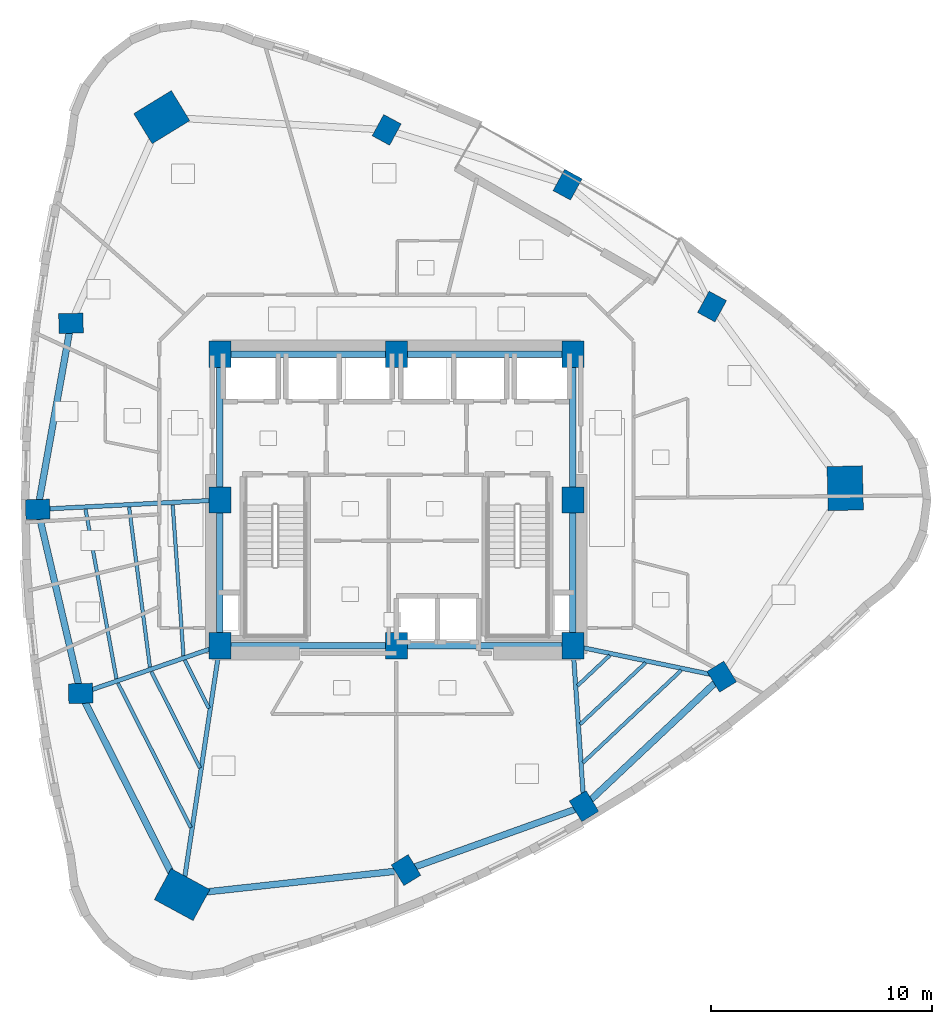
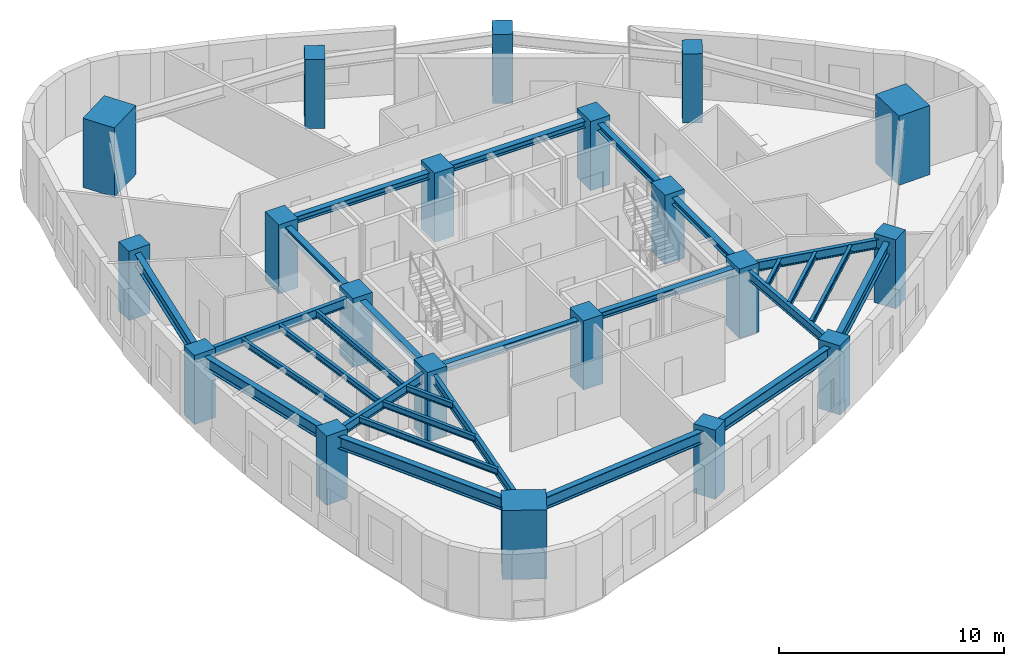
# One storey, part 1 of 13: 28 beams, 20 columns.
"""IFC4 building model written with IfcOpenShell, lengths in metres."""

from ifc_helpers import new_model, si_unit, direction, frame, origin, origin_2d, place, context, subcontext, project, spatial, rectangle, i_section, extrude, material, material_profile, profile_set, type_object, element, save


model = new_model("IFC4")

# Units and contexts
model_context = context("Model", 3, precision=1e-05, world=origin(), true_north=direction((0.0, 1.0)))
body_context = subcontext(model_context, "Body", "Model", "MODEL_VIEW")
ifc_project = project(units=[si_unit("LENGTHUNIT", "METRE"), si_unit("AREAUNIT", "SQUARE_METRE"), si_unit("VOLUMEUNIT", "CUBIC_METRE"), si_unit("PLANEANGLEUNIT", "RADIAN"), si_unit("MASSUNIT", "GRAM", prefix="KILO")], contexts=[model_context])

# Site, building, storey
site_placement = place(None, origin())
site = spatial("IfcSite", under=ifc_project, at=site_placement, CompositionType="ELEMENT")
building_placement = place(site_placement, origin())
building = spatial("IfcBuilding", under=site, at=building_placement, Name="Ndelora Gate Hotel", CompositionType="ELEMENT")
storey_placement = place(building_placement, frame((0.0, 0.0, 123.5)))
storey = spatial("IfcBuildingStorey", under=building, at=storey_placement, Name="L30", CompositionType="ELEMENT", Elevation=123.5)

# Columns
ifc_material_1 = material(Name="Concrete C60/75", Category="concrete")
ifc_material_profile_1 = material_profile(ifc_material_1, rectangle(XDim=1.0, YDim=1.199951171875, at=origin_2d()), Name="RC 1200x1000")
ifc_profile_set_1 = profile_set([ifc_material_profile_1], Name="Concrete C60/75")
column_type_1 = type_object("IfcColumnType", Name="COL-CC-MID", PredefinedType="COLUMN", material=ifc_profile_set_1)
for number, where, z_axis, x_axis, name in (
    (1, (-8.0, -6.60009765625, 0.0), (0.0, 0.0, 1.0), (1.0, 0.0, 0.0), "L30 Core Column CC1"),
    (2, (0.0, -6.60009765625, 0.0), (0.0, 0.0, 1.0), (1.0, 0.0, 0.0), "L30 Core Column CC2"),
    (3, (8.0, -6.60009765625, 0.0), (0.0, 0.0, 1.0), (1.0, 0.0, 0.0), "L30 Core Column CC3"),
    (4, (8.0, 0.0, 0.0), (0.0, 0.0, 1.0), (1.0, 0.0, 0.0), "L30 Core Column CC4"),
    (5, (8.0, 6.60009765625, 0.0), (0.0, 0.0, 1.0), (1.0, 0.0, 0.0), "L30 Core Column CC5"),
    (6, (0.0, 6.60009765625, 0.0), (0.0, 0.0, 1.0), (1.0, 0.0, 0.0), "L30 Core Column CC6"),
    (7, (-8.0, 6.60009765625, 0.0), (0.0, 0.0, 1.0), (1.0, 0.0, 0.0), "L30 Core Column CC7"),
    (8, (-8.0, 0.0, 0.0), (0.0, 0.0, 1.0), (1.0, 0.0, 0.0), "L30 Core Column CC8"),
):
    element("IfcColumn", number, at=place(storey_placement, frame(where, z_axis=z_axis, x_axis=x_axis)), inside=storey, type_object=column_type_1, Name=name, PredefinedType="COLUMN", context=body_context, shape_type="SweptSolid", body=[
        extrude(rectangle(XDim=1.0, YDim=1.199951171875, at=origin_2d()), origin(), (0.0, 0.0, 1.0), 3.75),
    ])
ifc_material_profile_2 = material_profile(ifc_material_1, rectangle(XDim=1.60009765625, YDim=2.0, at=origin_2d()), Name="RC 2000x1600")
ifc_profile_set_2 = profile_set([ifc_material_profile_2], Name="Concrete C60/75")
column_type_2 = type_object("IfcColumnType", Name="COL-MC-Z2", PredefinedType="COLUMN", material=ifc_profile_set_2)
for number, where, z_axis, x_axis, name in (
    (9, (-10.63330078125, 17.351806640625, 0.0), (0.0, 0.0, 1.0), (-0.522498564716, 0.852640164354, 0.0), "L30 Corner Mega-Column R1"),
    (10, (-9.71044921875, -17.884521484375, 0.0), (0.0, 0.0, 1.0), (0.47715876026, 0.878817112662, 0.0), "L30 Corner Mega-Column R5"),
    (11, (20.34375, 0.53271484375, 0.0), (0.0, 0.0, 1.0), (0.999657324976, 0.026176948308, 0.0), "L30 Corner Mega-Column R9"),
):
    element("IfcColumn", number, at=place(storey_placement, frame(where, z_axis=z_axis, x_axis=x_axis)), inside=storey, type_object=column_type_2, Name=name, PredefinedType="COLUMN", context=body_context, shape_type="SweptSolid", body=[
        extrude(rectangle(XDim=1.60009765625, YDim=2.0, at=origin_2d()), origin(), (0.0, 0.0, 1.0), 3.75),
    ])
ifc_material_profile_3 = material_profile(ifc_material_1, rectangle(XDim=0.89990234375, YDim=1.10009765625, at=origin_2d()), Name="RC 1100x900")
ifc_profile_set_3 = profile_set([ifc_material_profile_3], Name="Concrete C60/75")
column_type_3 = type_object("IfcColumnType", Name="COL-PT-Z2", PredefinedType="COLUMN", material=ifc_profile_set_3)
for number, where, z_axis, x_axis, name in (
    (12, (-14.74658203125, 8.006591796875, 0.0), (0.0, 0.0, 1.0), (-0.026176948308, 0.999657324976, 0.0), "L30 Perimeter Tube Column R2"),
    (13, (-16.25537109375, -0.42578125, 0.0), (0.0, 0.0, 1.0), (-0.026176948308, 0.999657324976, 0.0), "L30 Perimeter Tube Column R3"),
    (14, (-14.307373046875, -8.767578125, 0.0), (0.0, 0.0, 1.0), (-0.026176948308, 0.999657324976, 0.0), "L30 Perimeter Tube Column R4"),
    (15, (0.439208984375, -16.7744140625, 0.0), (0.0, 0.0, 1.0), (0.852640164354, 0.522498564716, 0.0), "L30 Perimeter Tube Column R6"),
    (16, (8.50439453125, -13.878173828125, 0.0), (0.0, 0.0, 1.0), (0.852640164354, 0.522498564716, 0.0), "L30 Perimeter Tube Column R7"),
    (17, (14.74658203125, -8.006591796875, 0.0), (0.0, 0.0, 1.0), (0.852640164354, 0.522498564716, 0.0), "L30 Perimeter Tube Column R8"),
    (18, (14.30712890625, 8.767333984375, 0.0), (0.0, 0.0, 1.0), (-0.878817112662, 0.47715876026, 0.0), "L30 Perimeter Tube Column R10"),
    (19, (7.759033203125, 14.290283203125, 0.0), (0.0, 0.0, 1.0), (-0.878817112662, 0.47715876026, 0.0), "L30 Perimeter Tube Column R11"),
    (20, (-0.439208984375, 16.7744140625, 0.0), (0.0, 0.0, 1.0), (-0.878817112662, 0.47715876026, 0.0), "L30 Perimeter Tube Column R12"),
):
    element("IfcColumn", number, at=place(storey_placement, frame(where, z_axis=z_axis, x_axis=x_axis)), inside=storey, type_object=column_type_3, Name=name, PredefinedType="COLUMN", context=body_context, shape_type="SweptSolid", body=[
        extrude(rectangle(XDim=0.89990234375, YDim=1.10009765625, at=origin_2d()), origin(), (0.0, 0.0, 1.0), 3.75),
    ])

# Beams
ifc_material_2 = material(Name="Steel S355", Category="steel")
ifc_material_profile_4 = material_profile(ifc_material_2, i_section(OverallWidth=0.300048828125, OverallDepth=0.360107421875, WebThickness=0.012451171875, FlangeThickness=0.0224609375, FilletRadius=0.027099609375, at=origin_2d()), Name="HEB 360")
ifc_profile_set_4 = profile_set([ifc_material_profile_4], Name="Steel S355")
beam_type_1 = type_object("IfcBeamType", Name="BM-CORE-360", PredefinedType="BEAM", material=ifc_profile_set_4)
for number, where, z_axis, x_axis, name in (
    (21, (-8.0, 6.60009765625, 3.320068359375), (1.0, 0.0, 0.0), (0.0, 1.0, 0.0), "L30 Core Tie Girder CC7-CC6"),
    (22, (0.0, 6.60009765625, 3.320068359375), (1.0, 0.0, 0.0), (0.0, 1.0, 0.0), "L30 Core Tie Girder CC6-CC5"),
):
    element("IfcBeam", number, at=place(storey_placement, frame(where, z_axis=z_axis, x_axis=x_axis)), inside=storey, type_object=beam_type_1, Name=name, PredefinedType="BEAM", context=body_context, shape_type="SweptSolid", body=[
        extrude(i_section(OverallWidth=0.300048828125, OverallDepth=0.360107421875, WebThickness=0.012451171875, FlangeThickness=0.0224609375, FilletRadius=0.027099609375, at=origin_2d()), origin(), (0.0, 0.0, 1.0), 8.0),
    ])
for number, where, z_axis, x_axis, name in (
    (23, (-8.0, -6.60009765625, 3.320068359375), (0.0, 1.0, 0.0), (-1.0, 0.0, 0.0), "L30 Core Tie Girder CC1-CC8"),
    (24, (-8.0, 0.0, 3.320068359375), (0.0, 1.0, 0.0), (-1.0, 0.0, 0.0), "L30 Core Tie Girder CC8-CC7"),
    (25, (8.0, -6.60009765625, 3.320068359375), (0.0, 1.0, 0.0), (-1.0, 0.0, 0.0), "L30 Core Tie Girder CC3-CC4"),
    (26, (8.0, 0.0, 3.320068359375), (0.0, 1.0, 0.0), (-1.0, 0.0, 0.0), "L30 Core Tie Girder CC4-CC5"),
):
    element("IfcBeam", number, at=place(storey_placement, frame(where, z_axis=z_axis, x_axis=x_axis)), inside=storey, type_object=beam_type_1, Name=name, PredefinedType="BEAM", context=body_context, shape_type="SweptSolid", body=[
        extrude(i_section(OverallWidth=0.300048828125, OverallDepth=0.360107421875, WebThickness=0.012451171875, FlangeThickness=0.0224609375, FilletRadius=0.027099609375, at=origin_2d()), origin(), (0.0, 0.0, 1.0), 6.60009765625),
    ])
for number, where, z_axis, x_axis, name in (
    (27, (-8.0, -6.60009765625, 3.320068359375), (1.0, 0.0, 0.0), (0.0, 1.0, 0.0), "L30 Core Tie Girder CC1-CC2"),
    (28, (0.0, -6.60009765625, 3.320068359375), (1.0, 0.0, 0.0), (0.0, 1.0, 0.0), "L30 Core Tie Girder CC2-CC3"),
):
    element("IfcBeam", number, at=place(storey_placement, frame(where, z_axis=z_axis, x_axis=x_axis)), inside=storey, type_object=beam_type_1, Name=name, PredefinedType="BEAM", context=body_context, shape_type="SweptSolid", body=[
        extrude(i_section(OverallWidth=0.300048828125, OverallDepth=0.360107421875, WebThickness=0.012451171875, FlangeThickness=0.0224609375, FilletRadius=0.027099609375, at=origin_2d()), origin(), (0.0, 0.0, 1.0), 8.0),
    ])
ifc_material_profile_5 = material_profile(ifc_material_2, i_section(OverallWidth=0.159912109375, OverallDepth=0.330078125, WebThickness=0.007568359375, FlangeThickness=0.011474609375, FilletRadius=0.01806640625, at=origin_2d()), Name="IPE 330")
ifc_profile_set_5 = profile_set([ifc_material_profile_5], Name="Steel S355")
beam_type_2 = type_object("IfcBeamType", Name="BM-JST-330", PredefinedType="JOIST", material=ifc_profile_set_5)
beam_1_placement = place(storey_placement, frame((-10.138427734375, -0.220458984375, 3.3349609375), z_axis=(0.07162945927, -0.997431311201, 0.0), x_axis=(0.997431311201, 0.07162945927, 0.0)))
element("IfcBeam", 29, at=beam_1_placement, inside=storey, type_object=beam_type_2, Name="L30 Secondary Composite Floor Joist IN-3", PredefinedType="JOIST", context=body_context, shape_type="SweptSolid", body=[
    extrude(i_section(OverallWidth=0.159912109375, OverallDepth=0.330078125, WebThickness=0.007568359375, FlangeThickness=0.011474609375, FilletRadius=0.01806640625, at=origin_2d()), origin(), (0.0, 0.0, 1.0), 6.850830078125),
])
beam_2_placement = place(storey_placement, frame((-12.113525390625, -0.322021484375, 3.3349609375), z_axis=(0.12927924943, -0.991608226906, 0.0), x_axis=(0.991608226906, 0.12927924943, 0.0)))
element("IfcBeam", 30, at=beam_2_placement, inside=storey, type_object=beam_type_2, Name="L30 Secondary Composite Floor Joist MID-3", PredefinedType="JOIST", context=body_context, shape_type="SweptSolid", body=[
    extrude(i_section(OverallWidth=0.159912109375, OverallDepth=0.330078125, WebThickness=0.007568359375, FlangeThickness=0.011474609375, FilletRadius=0.01806640625, at=origin_2d()), origin(), (0.0, 0.0, 1.0), 7.31396484375),
])
beam_3_placement = place(storey_placement, frame((-14.089111328125, -0.423095703125, 3.3349609375), z_axis=(0.179733770179, -0.983715290039, 0.0), x_axis=(0.983715290039, 0.179733770179, 0.0)))
element("IfcBeam", 31, at=beam_3_placement, inside=storey, type_object=beam_type_2, Name="L30 Secondary Composite Floor Joist OUT-3", PredefinedType="JOIST", context=body_context, shape_type="SweptSolid", body=[
    extrude(i_section(OverallWidth=0.159912109375, OverallDepth=0.330078125, WebThickness=0.007568359375, FlangeThickness=0.011474609375, FilletRadius=0.01806640625, at=origin_2d()), origin(), (0.0, 0.0, 1.0), 7.799560546875),
])
beam_4_placement = place(storey_placement, frame((-9.59033203125, -7.26171875, 3.3349609375), z_axis=(0.450139260243, -0.892958367668, 0.0), x_axis=(0.892958367668, 0.450139260243, 0.0)))
element("IfcBeam", 32, at=beam_4_placement, inside=storey, type_object=beam_type_2, Name="L30 Secondary Composite Floor Joist IN-4", PredefinedType="JOIST", context=body_context, shape_type="SweptSolid", body=[
    extrude(i_section(OverallWidth=0.159912109375, OverallDepth=0.330078125, WebThickness=0.007568359375, FlangeThickness=0.011474609375, FilletRadius=0.01806640625, at=origin_2d()), origin(), (0.0, 0.0, 1.0), 2.4345703125),
])
beam_5_placement = place(storey_placement, frame((-11.10400390625, -7.781982421875, 3.3349609375), z_axis=(0.450189724408, -0.892932926953, 0.0), x_axis=(0.892932926953, 0.450189724408, 0.0)))
element("IfcBeam", 33, at=beam_5_placement, inside=storey, type_object=beam_type_2, Name="L30 Secondary Composite Floor Joist MID-4", PredefinedType="JOIST", context=body_context, shape_type="SweptSolid", body=[
    extrude(i_section(OverallWidth=0.159912109375, OverallDepth=0.330078125, WebThickness=0.007568359375, FlangeThickness=0.011474609375, FilletRadius=0.01806640625, at=origin_2d()), origin(), (0.0, 0.0, 1.0), 4.885009765625),
])
beam_6_placement = place(storey_placement, frame((-12.617919921875, -8.30224609375, 3.3349609375), z_axis=(0.45023300903, -0.892911102843, 0.0), x_axis=(0.892911102843, 0.45023300903, 0.0)))
element("IfcBeam", 34, at=beam_6_placement, inside=storey, type_object=beam_type_2, Name="L30 Secondary Composite Floor Joist OUT-4", PredefinedType="JOIST", context=body_context, shape_type="SweptSolid", body=[
    extrude(i_section(OverallWidth=0.159912109375, OverallDepth=0.330078125, WebThickness=0.007568359375, FlangeThickness=0.011474609375, FilletRadius=0.01806640625, at=origin_2d()), origin(), (0.0, 0.0, 1.0), 7.335693359375),
])
beam_7_placement = place(storey_placement, frame((8.211181640625, -8.4169921875, 3.3349609375), z_axis=(0.728414088998, 0.685137150466, 0.0), x_axis=(-0.685137150466, 0.728414088998, 0.0)))
element("IfcBeam", 35, at=beam_7_placement, inside=storey, type_object=beam_type_2, Name="L30 Secondary Composite Floor Joist IN-7", PredefinedType="JOIST", context=body_context, shape_type="SweptSolid", body=[
    extrude(i_section(OverallWidth=0.159912109375, OverallDepth=0.330078125, WebThickness=0.007568359375, FlangeThickness=0.011474609375, FilletRadius=0.01806640625, at=origin_2d()), origin(), (0.0, 0.0, 1.0), 2.00830078125),
])
beam_8_placement = place(storey_placement, frame((8.33251953125, -10.163818359375, 3.3349609375), z_axis=(0.728369245526, 0.685184823366, 0.0), x_axis=(-0.685184823366, 0.728369245526, 0.0)))
element("IfcBeam", 36, at=beam_8_placement, inside=storey, type_object=beam_type_2, Name="L30 Secondary Composite Floor Joist MID-7", PredefinedType="JOIST", context=body_context, shape_type="SweptSolid", body=[
    extrude(i_section(OverallWidth=0.159912109375, OverallDepth=0.330078125, WebThickness=0.007568359375, FlangeThickness=0.011474609375, FilletRadius=0.01806640625, at=origin_2d()), origin(), (0.0, 0.0, 1.0), 4.06494140625),
])
beam_9_placement = place(storey_placement, frame((8.45361328125, -11.910400390625, 3.3349609375), z_axis=(0.728393161111, 0.68515939959, 0.0), x_axis=(-0.68515939959, 0.728393161111, 0.0)))
element("IfcBeam", 37, at=beam_9_placement, inside=storey, type_object=beam_type_2, Name="L30 Secondary Composite Floor Joist OUT-7", PredefinedType="JOIST", context=body_context, shape_type="SweptSolid", body=[
    extrude(i_section(OverallWidth=0.159912109375, OverallDepth=0.330078125, WebThickness=0.007568359375, FlangeThickness=0.011474609375, FilletRadius=0.01806640625, at=origin_2d()), origin(), (0.0, 0.0, 1.0), 6.121337890625),
])
ifc_material_profile_6 = material_profile(ifc_material_2, i_section(OverallWidth=0.199951171875, OverallDepth=0.5, WebThickness=0.01025390625, FlangeThickness=0.01611328125, FilletRadius=0.02099609375, at=origin_2d()), Name="IPE 500")
ifc_profile_set_6 = profile_set([ifc_material_profile_6], Name="Steel S355")
beam_type_3 = type_object("IfcBeamType", Name="BM-RAD-500", PredefinedType="BEAM", material=ifc_profile_set_6)
beam_10_placement = place(storey_placement, frame((-8.0, 0.0, 3.25), z_axis=(-0.998672591881, -0.051507807424, 0.0), x_axis=(0.051507807424, -0.998672591881, 0.0)))
element("IfcBeam", 38, at=beam_10_placement, inside=storey, type_object=beam_type_3, Name="L30 Radial Floor Girder 3", PredefinedType="BEAM", context=body_context, shape_type="SweptSolid", body=[
    extrude(i_section(OverallWidth=0.199951171875, OverallDepth=0.5, WebThickness=0.01025390625, FlangeThickness=0.01611328125, FilletRadius=0.02099609375, at=origin_2d()), origin(), (0.0, 0.0, 1.0), 8.266357421875),
])
beam_11_placement = place(storey_placement, frame((-8.0, -6.60009765625, 3.25), z_axis=(-0.945717893913, -0.324988715392, 0.0), x_axis=(0.324988715392, -0.945717893913, 0.0)))
element("IfcBeam", 39, at=beam_11_placement, inside=storey, type_object=beam_type_3, Name="L30 Radial Floor Girder 4", PredefinedType="BEAM", context=body_context, shape_type="SweptSolid", body=[
    extrude(i_section(OverallWidth=0.199951171875, OverallDepth=0.5, WebThickness=0.01025390625, FlangeThickness=0.01611328125, FilletRadius=0.02099609375, at=origin_2d()), origin(), (0.0, 0.0, 1.0), 6.66943359375),
])
beam_12_placement = place(storey_placement, frame((-8.0, -6.60009765625, 3.25), z_axis=(-0.149864309615, -0.988706573612, 0.0), x_axis=(0.988706573612, -0.149864309615, 0.0)))
element("IfcBeam", 40, at=beam_12_placement, inside=storey, type_object=beam_type_3, Name="L30 Radial Floor Girder 5", PredefinedType="BEAM", context=body_context, shape_type="SweptSolid", body=[
    extrude(i_section(OverallWidth=0.199951171875, OverallDepth=0.5, WebThickness=0.01025390625, FlangeThickness=0.01611328125, FilletRadius=0.02099609375, at=origin_2d()), origin(), (0.0, 0.0, 1.0), 11.413330078125),
])
beam_13_placement = place(storey_placement, frame((8.0, -6.60009765625, 3.25), z_axis=(0.069137444551, -0.997607144001, 0.0), x_axis=(0.997607144001, 0.069137444551, 0.0)))
element("IfcBeam", 41, at=beam_13_placement, inside=storey, type_object=beam_type_3, Name="L30 Radial Floor Girder 7", PredefinedType="BEAM", context=body_context, shape_type="SweptSolid", body=[
    extrude(i_section(OverallWidth=0.199951171875, OverallDepth=0.5, WebThickness=0.01025390625, FlangeThickness=0.01611328125, FilletRadius=0.02099609375, at=origin_2d()), origin(), (0.0, 0.0, 1.0), 7.295654296875),
])
beam_14_placement = place(storey_placement, frame((8.0, -6.60009765625, 3.25), z_axis=(0.978952706778, -0.204087231083, 0.0), x_axis=(0.204087231083, 0.978952706778, 0.0)))
element("IfcBeam", 42, at=beam_14_placement, inside=storey, type_object=beam_type_3, Name="L30 Radial Floor Girder 8", PredefinedType="BEAM", context=body_context, shape_type="SweptSolid", body=[
    extrude(i_section(OverallWidth=0.199951171875, OverallDepth=0.5, WebThickness=0.01025390625, FlangeThickness=0.01611328125, FilletRadius=0.02099609375, at=origin_2d()), origin(), (0.0, 0.0, 1.0), 6.8916015625),
])
ifc_material_profile_7 = material_profile(ifc_material_2, i_section(OverallWidth=0.300048828125, OverallDepth=0.64990234375, WebThickness=0.01611328125, FlangeThickness=0.031005859375, FilletRadius=0.027099609375, at=origin_2d()), Name="HEB 650")
ifc_profile_set_7 = profile_set([ifc_material_profile_7], Name="Steel S355")
beam_type_4 = type_object("IfcBeamType", Name="BM-RING-650", PredefinedType="SPANDREL", material=ifc_profile_set_7)
beam_15_placement = place(storey_placement, frame((-14.74658203125, 8.006591796875, 3.175048828125), z_axis=(-0.176130938817, -0.984366746894, 0.0), x_axis=(0.984366746894, -0.176130938817, 0.0)))
element("IfcBeam", 43, at=beam_15_placement, inside=storey, type_object=beam_type_4, Name="L30 Perimeter Spandrel Girder 2", PredefinedType="SPANDREL", context=body_context, shape_type="SweptSolid", body=[
    extrude(i_section(OverallWidth=0.300048828125, OverallDepth=0.64990234375, WebThickness=0.01611328125, FlangeThickness=0.031005859375, FilletRadius=0.027099609375, at=origin_2d()), origin(), (0.0, 0.0, 1.0), 8.56640625),
])
beam_16_placement = place(storey_placement, frame((-16.25537109375, -0.42578125, 3.175048828125), z_axis=(0.227404398157, -0.973800410607, 0.0), x_axis=(0.973800410607, 0.227404398157, 0.0)))
element("IfcBeam", 44, at=beam_16_placement, inside=storey, type_object=beam_type_4, Name="L30 Perimeter Spandrel Girder 3", PredefinedType="SPANDREL", context=body_context, shape_type="SweptSolid", body=[
    extrude(i_section(OverallWidth=0.300048828125, OverallDepth=0.64990234375, WebThickness=0.01611328125, FlangeThickness=0.031005859375, FilletRadius=0.027099609375, at=origin_2d()), origin(), (0.0, 0.0, 1.0), 8.566162109375),
])
for number, where, z_axis, x_axis, name in (
    (45, (-14.307373046875, -8.767578125, 3.175048828125), (0.450223868811, -0.892915711561, 0.0), (0.892915711561, 0.450223868811, 0.0), "L30 Perimeter Spandrel Girder 4"),
    (46, (-9.71044921875, -17.884521484375, 3.175048828125), (0.994071812898, 0.108725483685, 0.0), (-0.108725483685, 0.994071812898, 0.0), "L30 Perimeter Spandrel Girder 5"),
):
    element("IfcBeam", number, at=place(storey_placement, frame(where, z_axis=z_axis, x_axis=x_axis)), inside=storey, type_object=beam_type_4, Name=name, PredefinedType="SPANDREL", context=body_context, shape_type="SweptSolid", body=[
        extrude(i_section(OverallWidth=0.300048828125, OverallDepth=0.64990234375, WebThickness=0.01611328125, FlangeThickness=0.031005859375, FilletRadius=0.027099609375, at=origin_2d()), origin(), (0.0, 0.0, 1.0), 10.210205078125),
    ])
beam_17_placement = place(storey_placement, frame((0.439208984375, -16.7744140625, 3.175048828125), z_axis=(0.941155870835, 0.337972819607, 0.0), x_axis=(-0.337972819607, 0.941155870835, 0.0)))
element("IfcBeam", 47, at=beam_17_placement, inside=storey, type_object=beam_type_4, Name="L30 Perimeter Spandrel Girder 6", PredefinedType="SPANDREL", context=body_context, shape_type="SweptSolid", body=[
    extrude(i_section(OverallWidth=0.300048828125, OverallDepth=0.64990234375, WebThickness=0.01611328125, FlangeThickness=0.031005859375, FilletRadius=0.027099609375, at=origin_2d()), origin(), (0.0, 0.0, 1.0), 8.5693359375),
])
beam_18_placement = place(storey_placement, frame((8.50439453125, -13.878173828125, 3.175048828125), z_axis=(0.728399016952, 0.68515317419, 0.0), x_axis=(-0.68515317419, 0.728399016952, 0.0)))
element("IfcBeam", 48, at=beam_18_placement, inside=storey, type_object=beam_type_4, Name="L30 Perimeter Spandrel Girder 7", PredefinedType="SPANDREL", context=body_context, shape_type="SweptSolid", body=[
    extrude(i_section(OverallWidth=0.300048828125, OverallDepth=0.64990234375, WebThickness=0.01611328125, FlangeThickness=0.031005859375, FilletRadius=0.027099609375, at=origin_2d()), origin(), (0.0, 0.0, 1.0), 8.56982421875),
])

save(model, "model.ifc")
